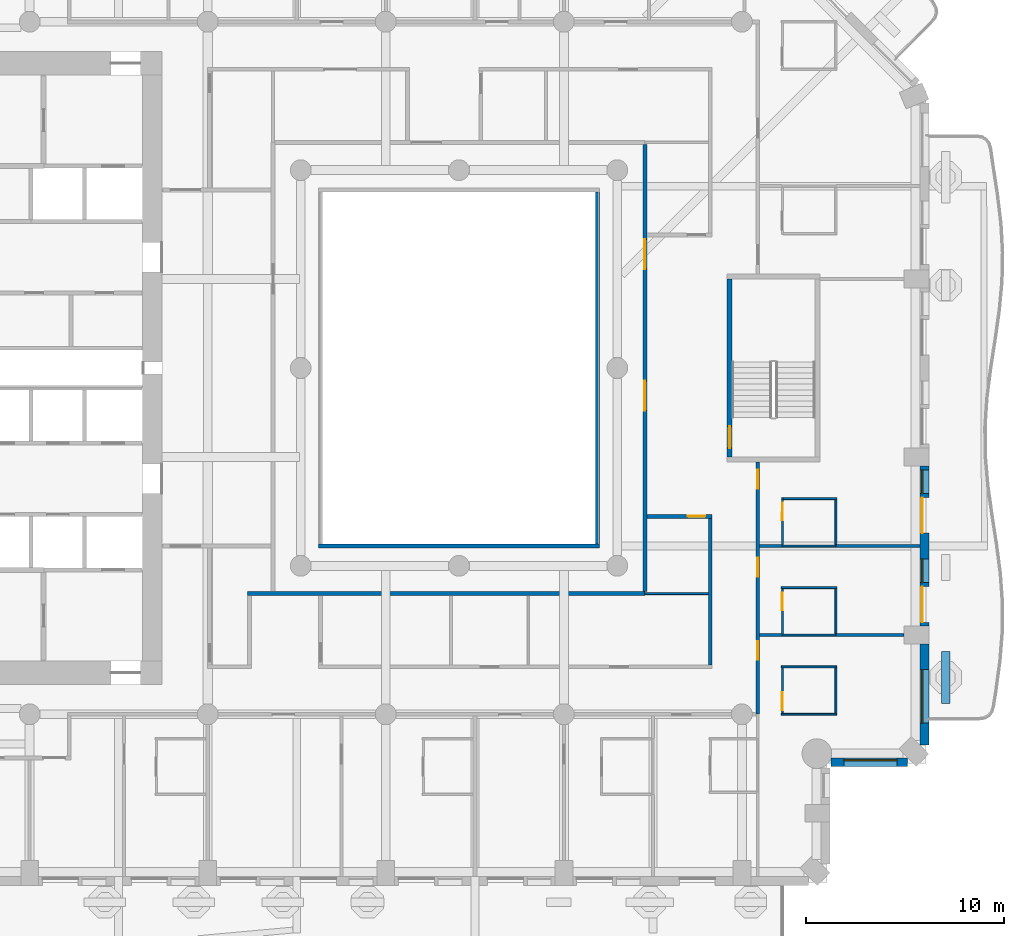
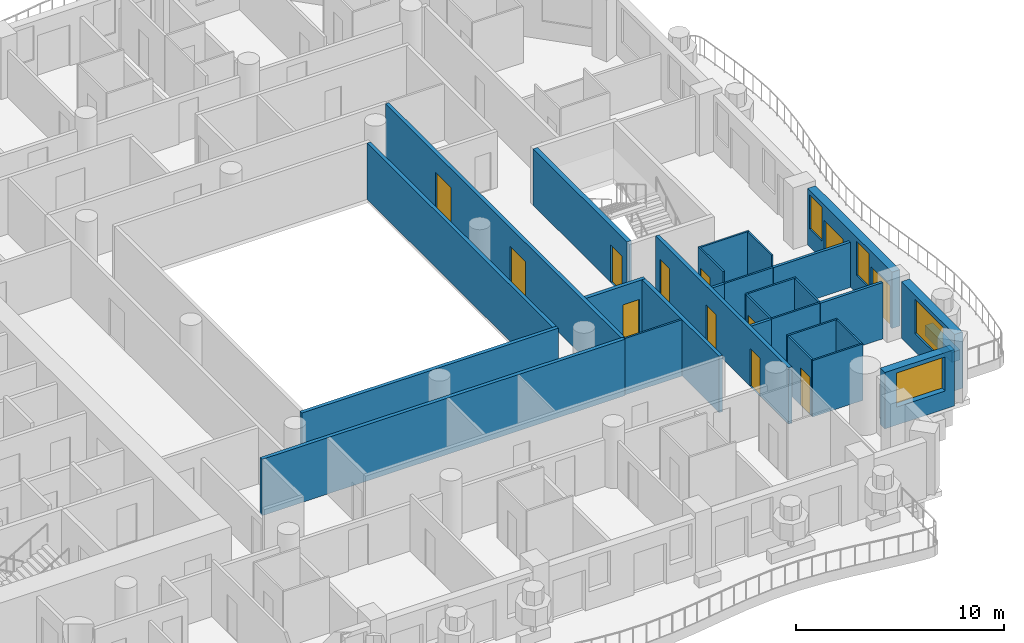
# One storey, part 6 of 20: 29 walls, 12 doors, 4 windows, 16 openings.
"""IFC4 building model written with IfcOpenShell, lengths in metres."""

from ifc_helpers import new_model, si_unit, direction, frame, frame_2d, origin, place, context, subcontext, project, spatial, rectangle, extrude, material, layer, layer_set, type_object, element, fill, save


model = new_model("IFC4")

# Units and contexts
model_context = context("Model", 3, precision=1e-05, world=origin(), true_north=direction((0.0, 1.0)))
body_context = subcontext(model_context, "Body", "Model", "MODEL_VIEW")
ifc_project = project(units=[si_unit("LENGTHUNIT", "METRE"), si_unit("AREAUNIT", "SQUARE_METRE"), si_unit("VOLUMEUNIT", "CUBIC_METRE"), si_unit("PLANEANGLEUNIT", "RADIAN"), si_unit("MASSUNIT", "GRAM", prefix="KILO")], contexts=[model_context])

# Site, building, storey
site_placement = place(None, origin())
site = spatial("IfcSite", under=ifc_project, at=site_placement, CompositionType="ELEMENT")
building_placement = place(site_placement, origin())
building = spatial("IfcBuilding", under=site, at=building_placement, Name="Cypress Arch Tower", CompositionType="ELEMENT")
storey_placement = place(building_placement, frame((0.0, 0.0, 134.699951171875)))
storey = spatial("IfcBuildingStorey", under=building, at=storey_placement, Name="L29", CompositionType="ELEMENT", Elevation=134.699951171875)

# Wall
ifc_material_1 = material(Name="Concrete C40/50, waterproofed", Category="concrete")
ifc_layer_1 = layer(ifc_material_1, 0.449951171875)
ifc_layer_set_1 = layer_set([ifc_layer_1], Name="Balcony planter wall PW450")
wall_type_1 = type_object("IfcWallType", Name="Balcony planter wall PW450", PredefinedType="SOLIDWALL", material=ifc_layer_set_1)
wall_1_placement = place(storey_placement, frame((25.60009765625, -16.949951171875, 0.0), z_axis=(0.0, 0.0, 1.0), x_axis=(0.0, 1.0, 0.0)))
element("IfcWall", 1, at=wall_1_placement, inside=storey, type_object=wall_type_1, Name="Balcony planter wall L29-A06.1", PredefinedType="SOLIDWALL", context=body_context, shape_type="SweptSolid", body=[
    extrude(rectangle(XDim=2.6142578125, YDim=0.449951171875, at=frame_2d((1.30712890625, 0.0))), origin(), (0.0, 0.0, 1.0), 0.60009765625),
])

# Wall, opening, window
ifc_material_2 = material(Name="Brick (red buff blend)", Category="masonry")
ifc_layer_2 = layer(ifc_material_2, 0.449951171875)
ifc_layer_set_2 = layer_set([ifc_layer_2], Name="Brick pier and spandrel wall BW450")
wall_type_2 = type_object("IfcWallType", Name="Brick pier and spandrel wall BW450", PredefinedType="SOLIDWALL", material=ifc_layer_set_2)
wall_2_placement = place(storey_placement, frame((19.806884765625, -19.925048828125, 0.0), z_axis=(0.0, 0.0, 1.0), x_axis=(1.0, 0.0, 0.0)))
wall_2 = element("IfcWall", 2, at=wall_2_placement, inside=storey, type_object=wall_type_2, Name="Brick wall L29 A05.0", PredefinedType="SOLIDWALL", context=body_context, shape_type="SweptSolid", body=[
    extrude(rectangle(XDim=3.856689453125, YDim=0.449951171875, at=frame_2d((1.92822265625, 0.0))), origin(), (0.0, 0.0, 1.0), 3.300048828125),
])
opening_1_placement = place(wall_2_placement, frame((0.64306640625, 0.0, 1.050048828125)))
opening_1 = element("IfcOpeningElement", 3, at=opening_1_placement, cuts=wall_2, Name="Opening W270H", PredefinedType="OPENING", context=body_context, shape_type="SweptSolid", body=[
    extrude(rectangle(XDim=2.699951171875, YDim=2.0, at=frame_2d((1.35009765625, 1.0))), frame((0.0, 0.23486328125, 0.0), z_axis=(0.0, -1.0, 0.0), x_axis=(1.0, 0.0, 0.0)), (0.0, 0.0, 1.0), 0.469970703125),
])
ifc_material_3 = material(Name="Anodised aluminium, bronze finish, clear low-emissivity double glazing", Category="aluminium")
window_type_1 = type_object("IfcWindowType", Name="Window Hotel 2700x2000", PartitioningType="SINGLE_PANEL", PredefinedType="WINDOW", material=ifc_material_3)
window_1_placement = place(opening_1_placement, origin())
window_1 = element("IfcWindow", 4, at=window_1_placement, inside=storey, type_object=window_type_1, Name="Window L29 A05.0.1", OverallHeight=2.0, OverallWidth=2.699951171875, PartitioningType="SINGLE_PANEL", PredefinedType="WINDOW", context=body_context, shape_type="SweptSolid", body=[
    extrude(rectangle(XDim=2.699951171875, YDim=2.0, at=frame_2d((1.35009765625, 1.0))), frame((0.0, 0.135009765625, 0.0), z_axis=(0.0, -1.0, 0.0), x_axis=(1.0, 0.0, 0.0)), (0.0, 0.0, 1.0), 0.06005859375),
])
fill(opening_1, window_1)

wall_3_placement = place(storey_placement, frame((24.52490234375, -19.063720703125, 0.0), z_axis=(0.0, 0.0, 1.0), x_axis=(0.0, 1.0, 0.0)))
wall_3 = element("IfcWall", 5, at=wall_3_placement, inside=storey, type_object=wall_type_2, Name="Brick wall L29 A06.0", PredefinedType="SOLIDWALL", context=body_context, shape_type="SweptSolid", body=[
    extrude(rectangle(XDim=5.11376953125, YDim=0.449951171875, at=frame_2d((2.556884765625, 0.0))), origin(), (0.0, 0.0, 1.0), 3.300048828125),
])
opening_2_placement = place(wall_3_placement, frame((1.113525390625, 0.0, 1.050048828125)))
opening_2 = element("IfcOpeningElement", 6, at=opening_2_placement, cuts=wall_3, Name="Opening W270HD", PredefinedType="OPENING", context=body_context, shape_type="SweptSolid", body=[
    extrude(rectangle(XDim=2.699951171875, YDim=2.0, at=frame_2d((1.35009765625, 1.0))), frame((0.0, 0.23486328125, 0.0), z_axis=(0.0, -1.0, 0.0), x_axis=(1.0, 0.0, 0.0)), (0.0, 0.0, 1.0), 0.469970703125),
])
ifc_material_4 = material(Name="Anodised aluminium, bronze finish, laminated low-emissivity double glazing, large-missile impact rated", Category="aluminium")
window_type_2 = type_object("IfcWindowType", Name="Window Hotel 2700x2000 debris-rated", PartitioningType="SINGLE_PANEL", PredefinedType="WINDOW", material=ifc_material_4)
window_2_placement = place(opening_2_placement, origin())
window_2 = element("IfcWindow", 7, at=window_2_placement, inside=storey, type_object=window_type_2, Name="Window L29 A06.0.1", OverallHeight=2.0, OverallWidth=2.699951171875, PartitioningType="SINGLE_PANEL", PredefinedType="WINDOW", context=body_context, shape_type="SweptSolid", body=[
    extrude(rectangle(XDim=2.699951171875, YDim=2.0, at=frame_2d((1.35009765625, 1.0))), frame((0.0, 0.135009765625, 0.0), z_axis=(0.0, -1.0, 0.0), x_axis=(1.0, 0.0, 0.0)), (0.0, 0.0, 1.0), 0.06005859375),
])
fill(opening_2, window_2)

# Wall, openings, doors, windows
wall_4_placement = place(storey_placement, frame((24.52490234375, -13.050048828125, 0.0), z_axis=(0.0, 0.0, 1.0), x_axis=(0.0, 1.0, 0.0)))
wall_4 = element("IfcWall", 8, at=wall_4_placement, inside=storey, type_object=wall_type_2, Name="Brick wall L29 A06.1", PredefinedType="SOLIDWALL", context=body_context, shape_type="SweptSolid", body=[
    extrude(rectangle(XDim=8.10009765625, YDim=0.449951171875, at=frame_2d((4.050048828125, 0.0))), origin(), (0.0, 0.0, 1.0), 3.300048828125),
])
opening_3_placement = place(wall_4_placement, frame((0.199951171875, 0.0, 0.0)))
opening_3 = element("IfcOpeningElement", 9, at=opening_3_placement, cuts=wall_4, Name="Opening D-L29-A06.1.1", PredefinedType="OPENING", context=body_context, shape_type="SweptSolid", body=[
    extrude(rectangle(XDim=1.800048828125, YDim=2.39990234375, at=frame_2d((0.89990234375, 1.199951171875))), frame((0.0, 0.23486328125, 0.0), z_axis=(0.0, -1.0, 0.0), x_axis=(1.0, 0.0, 0.0)), (0.0, 0.0, 1.0), 0.469970703125),
])
opening_4_placement = place(wall_4_placement, frame((2.199951171875, 0.0, 1.050048828125)))
opening_4 = element("IfcOpeningElement", 10, at=opening_4_placement, cuts=wall_4, Name="Opening W120HD", PredefinedType="OPENING", context=body_context, shape_type="SweptSolid", body=[
    extrude(rectangle(XDim=1.199951171875, YDim=2.0, at=frame_2d((0.60009765625, 1.0))), frame((0.0, 0.23486328125, 0.0), z_axis=(0.0, -1.0, 0.0), x_axis=(1.0, 0.0, 0.0)), (0.0, 0.0, 1.0), 0.469970703125),
])
opening_5_placement = place(wall_4_placement, frame((4.699951171875, 0.0, 0.0)))
opening_5 = element("IfcOpeningElement", 11, at=opening_5_placement, cuts=wall_4, Name="Opening D-L29-A06.1.2", PredefinedType="OPENING", context=body_context, shape_type="SweptSolid", body=[
    extrude(rectangle(XDim=1.800048828125, YDim=2.39990234375, at=frame_2d((0.89990234375, 1.199951171875))), frame((0.0, 0.23486328125, 0.0), z_axis=(0.0, -1.0, 0.0), x_axis=(1.0, 0.0, 0.0)), (0.0, 0.0, 1.0), 0.469970703125),
])
opening_6_placement = place(wall_4_placement, frame((6.699951171875, 0.0, 1.050048828125)))
opening_6 = element("IfcOpeningElement", 12, at=opening_6_placement, cuts=wall_4, Name="Opening W120HD", PredefinedType="OPENING", context=body_context, shape_type="SweptSolid", body=[
    extrude(rectangle(XDim=1.199951171875, YDim=2.0, at=frame_2d((0.60009765625, 1.0))), frame((0.0, 0.23486328125, 0.0), z_axis=(0.0, -1.0, 0.0), x_axis=(1.0, 0.0, 0.0)), (0.0, 0.0, 1.0), 0.469970703125),
])
ifc_material_5 = material(Name="Anodised aluminium, bronze finish, laminated low-emissivity double glazing, large-missile impact rated", Category="aluminium")
door_type_1 = type_object("IfcDoorType", Name="Balcony sliding door 1800x2400", OperationType="SLIDING_TO_LEFT", PredefinedType="DOOR", material=ifc_material_5)
door_1_placement = place(opening_3_placement, origin())
door_1 = element("IfcDoor", 13, at=door_1_placement, inside=storey, type_object=door_type_1, Name="Balcony door L29 A06.1.1", OperationType="SLIDING_TO_LEFT", OverallHeight=2.39990234375, OverallWidth=1.800048828125, PredefinedType="DOOR", context=body_context, shape_type="SweptSolid", body=[
    extrude(rectangle(XDim=1.800048828125, YDim=2.39990234375, at=frame_2d((0.89990234375, 1.199951171875))), frame((0.0, 0.1298828125, 0.0), z_axis=(0.0, -1.0, 0.0), x_axis=(1.0, 0.0, 0.0)), (0.0, 0.0, 1.0), 0.050048828125),
])
fill(opening_3, door_1)
door_2_placement = place(opening_5_placement, origin())
door_2 = element("IfcDoor", 14, at=door_2_placement, inside=storey, type_object=door_type_1, Name="Balcony door L29 A06.1.2", OperationType="SLIDING_TO_LEFT", OverallHeight=2.39990234375, OverallWidth=1.800048828125, PredefinedType="DOOR", context=body_context, shape_type="SweptSolid", body=[
    extrude(rectangle(XDim=1.800048828125, YDim=2.39990234375, at=frame_2d((0.89990234375, 1.199951171875))), frame((0.0, 0.1298828125, 0.0), z_axis=(0.0, -1.0, 0.0), x_axis=(1.0, 0.0, 0.0)), (0.0, 0.0, 1.0), 0.050048828125),
])
fill(opening_5, door_2)
ifc_material_6 = material(Name="Anodised aluminium, bronze finish, laminated low-emissivity double glazing, large-missile impact rated", Category="aluminium")
window_type_3 = type_object("IfcWindowType", Name="Window Hotel 1200x2000 debris-rated", PartitioningType="SINGLE_PANEL", PredefinedType="WINDOW", material=ifc_material_6)
window_3_placement = place(opening_4_placement, origin())
window_3 = element("IfcWindow", 15, at=window_3_placement, inside=storey, type_object=window_type_3, Name="Window L29 A06.1.1", OverallHeight=2.0, OverallWidth=1.199951171875, PartitioningType="SINGLE_PANEL", PredefinedType="WINDOW", context=body_context, shape_type="SweptSolid", body=[
    extrude(rectangle(XDim=1.199951171875, YDim=2.0, at=frame_2d((0.60009765625, 1.0))), frame((0.0, 0.135009765625, 0.0), z_axis=(0.0, -1.0, 0.0), x_axis=(1.0, 0.0, 0.0)), (0.0, 0.0, 1.0), 0.06005859375),
])
fill(opening_4, window_3)
window_4_placement = place(opening_6_placement, origin())
window_4 = element("IfcWindow", 16, at=window_4_placement, inside=storey, type_object=window_type_3, Name="Window L29 A06.1.2", OverallHeight=2.0, OverallWidth=1.199951171875, PartitioningType="SINGLE_PANEL", PredefinedType="WINDOW", context=body_context, shape_type="SweptSolid", body=[
    extrude(rectangle(XDim=1.199951171875, YDim=2.0, at=frame_2d((0.60009765625, 1.0))), frame((0.0, 0.135009765625, 0.0), z_axis=(0.0, -1.0, 0.0), x_axis=(1.0, 0.0, 0.0)), (0.0, 0.0, 1.0), 0.06005859375),
])
fill(opening_6, window_4)

# Walls
ifc_material_7 = material(Name="Concrete blockwork, plastered, rated", Category="masonry")
ifc_layer_3 = layer(ifc_material_7, 0.199951171875)
ifc_layer_set_3 = layer_set([ifc_layer_3], Name="Corridor wall FW200")
wall_type_3 = type_object("IfcWallType", Name="Corridor wall FW200", PredefinedType="PARTITIONING", material=ifc_layer_set_3)
wall_5_placement = place(storey_placement, frame((-9.699951171875, -11.39892578125, 0.0), z_axis=(0.0, 0.0, 1.0), x_axis=(1.0, 0.0, 0.0)))
element("IfcWall", 17, at=wall_5_placement, inside=storey, type_object=wall_type_3, Name="Corridor wall", PredefinedType="PARTITIONING", context=body_context, shape_type="SweptSolid", body=[
    extrude(rectangle(XDim=20.099853515625, YDim=0.199951171875, at=frame_2d((10.0498046875, 0.0))), origin(), (0.0, 0.0, 1.0), 3.300048828125),
])
wall_6_placement = place(storey_placement, frame((-6.10009765625, -9.0, 0.0), z_axis=(0.0, 0.0, 1.0), x_axis=(1.0, 0.0, 0.0)))
element("IfcWall", 18, at=wall_6_placement, inside=storey, type_object=wall_type_3, Name="Corridor wall", PredefinedType="PARTITIONING", context=body_context, shape_type="SweptSolid", body=[
    extrude(rectangle(XDim=14.2001953125, YDim=0.199951171875, at=frame_2d((7.10009765625, 0.0))), origin(), (0.0, 0.0, 1.0), 3.300048828125),
])
wall_7_placement = place(storey_placement, frame((8.0, -8.89990234375, 0.0), z_axis=(0.0, 0.0, 1.0), x_axis=(0.0, 1.0, 0.0)))
element("IfcWall", 19, at=wall_7_placement, inside=storey, type_object=wall_type_3, Name="Corridor wall", PredefinedType="PARTITIONING", context=body_context, shape_type="SweptSolid", body=[
    extrude(rectangle(XDim=17.7998046875, YDim=0.199951171875, at=frame_2d((8.89990234375, 0.0))), origin(), (0.0, 0.0, 1.0), 3.300048828125),
])

# Wall, openings, doors
wall_8_placement = place(storey_placement, frame((10.39990234375, -11.300048828125, 0.0), z_axis=(0.0, 0.0, 1.0), x_axis=(0.0, 1.0, 0.0)))
wall_8 = element("IfcWall", 20, at=wall_8_placement, inside=storey, type_object=wall_type_3, Name="Corridor wall", PredefinedType="PARTITIONING", context=body_context, shape_type="SweptSolid", body=[
    extrude(rectangle(XDim=22.60009765625, YDim=0.199951171875, at=frame_2d((11.300048828125, 0.0))), origin(), (0.0, 0.0, 1.0), 3.300048828125),
])
opening_7_placement = place(wall_8_placement, frame((16.300048828125, 0.0, 0.0)))
opening_7 = element("IfcOpeningElement", 21, at=opening_7_placement, cuts=wall_8, Name="Opening D04", PredefinedType="OPENING", context=body_context, shape_type="SweptSolid", body=[
    extrude(rectangle(XDim=1.5, YDim=2.199951171875, at=frame_2d((0.75, 1.10009765625))), frame((0.0, 0.10986328125, 0.0), z_axis=(0.0, -1.0, 0.0), x_axis=(1.0, 0.0, 0.0)), (0.0, 0.0, 1.0), 0.219970703125),
])
opening_8_placement = place(wall_8_placement, frame((9.14990234375, 0.0, 0.0)))
opening_8 = element("IfcOpeningElement", 22, at=opening_8_placement, cuts=wall_8, Name="Opening D04", PredefinedType="OPENING", context=body_context, shape_type="SweptSolid", body=[
    extrude(rectangle(XDim=1.5, YDim=2.199951171875, at=frame_2d((0.75, 1.10009765625))), frame((0.0, 0.10986328125, 0.0), z_axis=(0.0, -1.0, 0.0), x_axis=(1.0, 0.0, 0.0)), (0.0, 0.0, 1.0), 0.219970703125),
])
ifc_material_8 = material(Name="Timber double door", Category="wood")
door_type_2 = type_object("IfcDoorType", Name="Double door D04 1500x2200", OperationType="DOUBLE_DOOR_SINGLE_SWING", PredefinedType="DOOR", material=ifc_material_8)
door_3_placement = place(opening_7_placement, origin())
door_3 = element("IfcDoor", 23, at=door_3_placement, inside=storey, type_object=door_type_2, Name="Double door", OperationType="DOUBLE_DOOR_SINGLE_SWING", OverallHeight=2.199951171875, OverallWidth=1.5, PredefinedType="DOOR", context=body_context, shape_type="SweptSolid", body=[
    extrude(rectangle(XDim=1.5, YDim=2.199951171875, at=frame_2d((0.75, 1.10009765625))), frame((0.0, 0.02490234375, 0.0), z_axis=(0.0, -1.0, 0.0), x_axis=(1.0, 0.0, 0.0)), (0.0, 0.0, 1.0), 0.050048828125),
])
fill(opening_7, door_3)
door_4_placement = place(opening_8_placement, origin())
door_4 = element("IfcDoor", 24, at=door_4_placement, inside=storey, type_object=door_type_2, Name="Double door", OperationType="DOUBLE_DOOR_SINGLE_SWING", OverallHeight=2.199951171875, OverallWidth=1.5, PredefinedType="DOOR", context=body_context, shape_type="SweptSolid", body=[
    extrude(rectangle(XDim=1.5, YDim=2.199951171875, at=frame_2d((0.75, 1.10009765625))), frame((0.0, 0.02490234375, 0.0), z_axis=(0.0, -1.0, 0.0), x_axis=(1.0, 0.0, 0.0)), (0.0, 0.0, 1.0), 0.050048828125),
])
fill(opening_8, door_4)

# Wall, opening, door
wall_9_placement = place(storey_placement, frame((10.5, -7.5, 0.0), z_axis=(0.0, 0.0, 1.0), x_axis=(1.0, 0.0, 0.0)))
wall_9 = element("IfcWall", 25, at=wall_9_placement, inside=storey, type_object=wall_type_3, Name="Corridor wall", PredefinedType="PARTITIONING", context=body_context, shape_type="SweptSolid", body=[
    extrude(rectangle(XDim=3.300048828125, YDim=0.199951171875, at=frame_2d((1.64990234375, 0.0))), origin(), (0.0, 0.0, 1.0), 3.300048828125),
])
opening_9_placement = place(wall_9_placement, frame((2.050048828125, 0.0, 0.0)))
opening_9 = element("IfcOpeningElement", 26, at=opening_9_placement, cuts=wall_9, Name="Opening D05", PredefinedType="OPENING", context=body_context, shape_type="SweptSolid", body=[
    extrude(rectangle(XDim=0.89990234375, YDim=2.199951171875, at=frame_2d((0.449951171875, 1.10009765625))), frame((0.0, 0.10986328125, 0.0), z_axis=(0.0, -1.0, 0.0), x_axis=(1.0, 0.0, 0.0)), (0.0, 0.0, 1.0), 0.219970703125),
])
ifc_material_9 = material(Name="Timber flush door", Category="wood")
door_type_3 = type_object("IfcDoorType", Name="Service door D05 900x2200", OperationType="SINGLE_SWING_LEFT", PredefinedType="DOOR", material=ifc_material_9)
door_5_placement = place(opening_9_placement, origin())
door_5 = element("IfcDoor", 27, at=door_5_placement, inside=storey, type_object=door_type_3, Name="Service door", OperationType="SINGLE_SWING_LEFT", OverallHeight=2.199951171875, OverallWidth=0.89990234375, PredefinedType="DOOR", context=body_context, shape_type="SweptSolid", body=[
    extrude(rectangle(XDim=0.89990234375, YDim=2.199951171875, at=frame_2d((0.449951171875, 1.10009765625))), frame((0.0, 0.02490234375, 0.0), z_axis=(0.0, -1.0, 0.0), x_axis=(1.0, 0.0, 0.0)), (0.0, 0.0, 1.0), 0.050048828125),
])
fill(opening_9, door_5)

# Wall
wall_10_placement = place(storey_placement, frame((13.699951171875, -15.0, 0.0), z_axis=(0.0, 0.0, 1.0), x_axis=(0.0, 1.0, 0.0)))
element("IfcWall", 28, at=wall_10_placement, inside=storey, type_object=wall_type_3, Name="Corridor wall", PredefinedType="PARTITIONING", context=body_context, shape_type="SweptSolid", body=[
    extrude(rectangle(XDim=7.39990234375, YDim=0.199951171875, at=frame_2d((3.699951171875, 0.0))), origin(), (0.0, 0.0, 1.0), 3.300048828125),
])

# Wall, openings, doors
wall_11_placement = place(storey_placement, frame((16.10009765625, -17.5, 0.0), z_axis=(0.0, 0.0, 1.0), x_axis=(0.0, 1.0, 0.0)))
wall_11 = element("IfcWall", 29, at=wall_11_placement, inside=storey, type_object=wall_type_3, Name="Corridor wall", PredefinedType="PARTITIONING", context=body_context, shape_type="SweptSolid", body=[
    extrude(rectangle(XDim=12.75, YDim=0.199951171875, at=frame_2d((6.375, 0.0))), origin(), (0.0, 0.0, 1.0), 3.300048828125),
])
opening_10_placement = place(wall_11_placement, frame((2.75, 0.0, 0.0)))
opening_10 = element("IfcOpeningElement", 30, at=opening_10_placement, cuts=wall_11, Name="Opening D02", PredefinedType="OPENING", context=body_context, shape_type="SweptSolid", body=[
    extrude(rectangle(XDim=0.949951171875, YDim=2.199951171875, at=frame_2d((0.47509765625, 1.10009765625))), frame((0.0, 0.10986328125, 0.0), z_axis=(0.0, -1.0, 0.0), x_axis=(1.0, 0.0, 0.0)), (0.0, 0.0, 1.0), 0.219970703125),
])
opening_11_placement = place(wall_11_placement, frame((6.949951171875, 0.0, 0.0)))
opening_11 = element("IfcOpeningElement", 31, at=opening_11_placement, cuts=wall_11, Name="Opening D02", PredefinedType="OPENING", context=body_context, shape_type="SweptSolid", body=[
    extrude(rectangle(XDim=0.949951171875, YDim=2.199951171875, at=frame_2d((0.47509765625, 1.10009765625))), frame((0.0, 0.10986328125, 0.0), z_axis=(0.0, -1.0, 0.0), x_axis=(1.0, 0.0, 0.0)), (0.0, 0.0, 1.0), 0.219970703125),
])
opening_12_placement = place(wall_11_placement, frame((11.39990234375, 0.0, 0.0)))
opening_12 = element("IfcOpeningElement", 32, at=opening_12_placement, cuts=wall_11, Name="Opening D02", PredefinedType="OPENING", context=body_context, shape_type="SweptSolid", body=[
    extrude(rectangle(XDim=0.949951171875, YDim=2.199951171875, at=frame_2d((0.47509765625, 1.10009765625))), frame((0.0, 0.10986328125, 0.0), z_axis=(0.0, -1.0, 0.0), x_axis=(1.0, 0.0, 0.0)), (0.0, 0.0, 1.0), 0.219970703125),
])
ifc_material_10 = material(Name="Timber flush door, fire resisting", Category="wood")
door_type_4 = type_object("IfcDoorType", Name="Room door D02 950x2200", OperationType="SINGLE_SWING_LEFT", PredefinedType="DOOR", material=ifc_material_10)
door_6_placement = place(opening_10_placement, origin())
door_6 = element("IfcDoor", 33, at=door_6_placement, inside=storey, type_object=door_type_4, Name="Room door", OperationType="SINGLE_SWING_LEFT", OverallHeight=2.199951171875, OverallWidth=0.949951171875, PredefinedType="DOOR", context=body_context, shape_type="SweptSolid", body=[
    extrude(rectangle(XDim=0.949951171875, YDim=2.199951171875, at=frame_2d((0.47509765625, 1.10009765625))), frame((0.0, 0.02490234375, 0.0), z_axis=(0.0, -1.0, 0.0), x_axis=(1.0, 0.0, 0.0)), (0.0, 0.0, 1.0), 0.050048828125),
])
fill(opening_10, door_6)
door_7_placement = place(opening_11_placement, origin())
door_7 = element("IfcDoor", 34, at=door_7_placement, inside=storey, type_object=door_type_4, Name="Room door", OperationType="SINGLE_SWING_LEFT", OverallHeight=2.199951171875, OverallWidth=0.949951171875, PredefinedType="DOOR", context=body_context, shape_type="SweptSolid", body=[
    extrude(rectangle(XDim=0.949951171875, YDim=2.199951171875, at=frame_2d((0.47509765625, 1.10009765625))), frame((0.0, 0.02490234375, 0.0), z_axis=(0.0, -1.0, 0.0), x_axis=(1.0, 0.0, 0.0)), (0.0, 0.0, 1.0), 0.050048828125),
])
fill(opening_11, door_7)
door_8_placement = place(opening_12_placement, origin())
door_8 = element("IfcDoor", 35, at=door_8_placement, inside=storey, type_object=door_type_4, Name="Room door", OperationType="SINGLE_SWING_LEFT", OverallHeight=2.199951171875, OverallWidth=0.949951171875, PredefinedType="DOOR", context=body_context, shape_type="SweptSolid", body=[
    extrude(rectangle(XDim=0.949951171875, YDim=2.199951171875, at=frame_2d((0.47509765625, 1.10009765625))), frame((0.0, 0.02490234375, 0.0), z_axis=(0.0, -1.0, 0.0), x_axis=(1.0, 0.0, 0.0)), (0.0, 0.0, 1.0), 0.050048828125),
])
fill(opening_12, door_8)

# Walls
ifc_material_11 = material(Name="Blockwork, plastered both sides", Category="masonry")
ifc_layer_4 = layer(ifc_material_11, 0.14990234375)
ifc_layer_set_4 = layer_set([ifc_layer_4], Name="Partition PW150")
wall_type_4 = type_object("IfcWallType", Name="Partition PW150", PredefinedType="PARTITIONING", material=ifc_layer_set_4)
wall_12_placement = place(storey_placement, frame((16.199951171875, -13.5, 0.0), z_axis=(0.0, 0.0, 1.0), x_axis=(1.0, 0.0, 0.0)))
element("IfcWall", 36, at=wall_12_placement, inside=storey, type_object=wall_type_4, Name="Partition", PredefinedType="PARTITIONING", context=body_context, shape_type="SweptSolid", body=[
    extrude(rectangle(XDim=1.130126953125, YDim=0.14990234375, at=frame_2d((0.56494140625, 0.0))), origin(), (0.0, 0.0, 1.0), 3.300048828125),
])
wall_13_placement = place(storey_placement, frame((16.199951171875, -9.0, 0.0), z_axis=(0.0, 0.0, 1.0), x_axis=(1.0, 0.0, 0.0)))
element("IfcWall", 37, at=wall_13_placement, inside=storey, type_object=wall_type_4, Name="Partition", PredefinedType="PARTITIONING", context=body_context, shape_type="SweptSolid", body=[
    extrude(rectangle(XDim=1.130126953125, YDim=0.14990234375, at=frame_2d((0.56494140625, 0.0))), origin(), (0.0, 0.0, 1.0), 2.650146484375),
])
wall_14_placement = place(storey_placement, frame((20.030029296875, -13.5, 0.0), z_axis=(0.0, 0.0, 1.0), x_axis=(1.0, 0.0, 0.0)))
element("IfcWall", 38, at=wall_14_placement, inside=storey, type_object=wall_type_4, Name="Partition", PredefinedType="PARTITIONING", context=body_context, shape_type="SweptSolid", body=[
    extrude(rectangle(XDim=3.469970703125, YDim=0.14990234375, at=frame_2d((1.73486328125, 0.0))), origin(), (0.0, 0.0, 1.0), 3.300048828125),
])
wall_15_placement = place(storey_placement, frame((20.030029296875, -9.0, 0.0), z_axis=(0.0, 0.0, 1.0), x_axis=(1.0, 0.0, 0.0)))
element("IfcWall", 39, at=wall_15_placement, inside=storey, type_object=wall_type_4, Name="Partition", PredefinedType="PARTITIONING", context=body_context, shape_type="SweptSolid", body=[
    extrude(rectangle(XDim=4.27001953125, YDim=0.14990234375, at=frame_2d((2.135009765625, 0.0))), origin(), (0.0, 0.0, 1.0), 2.650146484375),
])

# Wall, opening, door
ifc_material_12 = material(Name="Concrete C50/60", Category="concrete")
ifc_layer_5 = layer(ifc_material_12, 0.25)
ifc_layer_set_5 = layer_set([ifc_layer_5], Name="Stair enclosure wall SW250")
wall_type_5 = type_object("IfcWallType", Name="Stair enclosure wall SW250", PredefinedType="SHEAR", material=ifc_layer_set_5)
wall_16_placement = place(storey_placement, frame((14.675048828125, -4.5, 0.0), z_axis=(0.0, 0.0, 1.0), x_axis=(0.0, 1.0, 0.0)))
wall_16 = element("IfcWall", 40, at=wall_16_placement, inside=storey, type_object=wall_type_5, Name="Stair enclosure wall", PredefinedType="SHEAR", context=body_context, shape_type="SweptSolid", body=[
    extrude(rectangle(XDim=9.0, YDim=0.25, at=frame_2d((4.5, 0.0))), origin(), (0.0, 0.0, 1.0), 3.300048828125),
])
opening_13_placement = place(wall_16_placement, frame((0.449951171875, 0.0, 0.0)))
opening_13 = element("IfcOpeningElement", 41, at=opening_13_placement, cuts=wall_16, Name="Opening D06", PredefinedType="OPENING", context=body_context, shape_type="SweptSolid", body=[
    extrude(rectangle(XDim=1.10009765625, YDim=2.199951171875, at=frame_2d((0.550048828125, 1.10009765625))), frame((0.0, 0.135009765625, 0.0), z_axis=(0.0, -1.0, 0.0), x_axis=(1.0, 0.0, 0.0)), (0.0, 0.0, 1.0), 0.27001953125),
])
ifc_material_13 = material(Name="Steel door, fire resisting, panic bar", Category="steel")
door_type_5 = type_object("IfcDoorType", Name="Stair door D06 1100x2200", OperationType="SINGLE_SWING_LEFT", PredefinedType="DOOR", material=ifc_material_13)
door_9_placement = place(opening_13_placement, origin())
door_9 = element("IfcDoor", 42, at=door_9_placement, inside=storey, type_object=door_type_5, Name="Stair door", OperationType="SINGLE_SWING_RIGHT", OverallHeight=2.199951171875, OverallWidth=1.10009765625, PredefinedType="DOOR", context=body_context, shape_type="SweptSolid", body=[
    extrude(rectangle(XDim=1.10009765625, YDim=2.199951171875, at=frame_2d((0.550048828125, 1.10009765625))), frame((0.0, 0.02490234375, 0.0), z_axis=(0.0, -1.0, 0.0), x_axis=(1.0, 0.0, 0.0)), (0.0, 0.0, 1.0), 0.050048828125),
])
fill(opening_13, door_9)

# Walls
ifc_material_14 = material(Name="Moisture resistant board on steel studs, tiled", Category="steel")
ifc_layer_6 = layer(ifc_material_14, 0.10009765625)
ifc_layer_set_6 = layer_set([ifc_layer_6], Name="Wet wall PW100")
wall_type_6 = type_object("IfcWallType", Name="Wet wall PW100", PredefinedType="PARTITIONING", material=ifc_layer_set_6)
wall_17_placement = place(storey_placement, frame((10.39990234375, -11.39990234375, 0.0), z_axis=(0.0, 0.0, 1.0), x_axis=(1.0, 0.0, 0.0)))
element("IfcWall", 43, at=wall_17_placement, inside=storey, type_object=wall_type_6, Name="Wet wall", PredefinedType="PARTITIONING", context=body_context, shape_type="SweptSolid", body=[
    extrude(rectangle(XDim=3.2001953125, YDim=0.10009765625, at=frame_2d((1.60009765625, 0.0))), origin(), (0.0, 0.0, 1.0), 3.300048828125),
])
wall_18_placement = place(storey_placement, frame((17.330078125, -13.5, 0.0), z_axis=(0.0, 0.0, 1.0), x_axis=(1.0, 0.0, 0.0)))
element("IfcWall", 44, at=wall_18_placement, inside=storey, type_object=wall_type_6, Name="Wet wall", PredefinedType="PARTITIONING", context=body_context, shape_type="SweptSolid", body=[
    extrude(rectangle(XDim=2.699951171875, YDim=0.10009765625, at=frame_2d((1.35009765625, 0.0))), origin(), (0.0, 0.0, 1.0), 3.300048828125),
])
wall_19_placement = place(storey_placement, frame((17.330078125, -9.0, 0.0), z_axis=(0.0, 0.0, 1.0), x_axis=(1.0, 0.0, 0.0)))
element("IfcWall", 45, at=wall_19_placement, inside=storey, type_object=wall_type_6, Name="Wet wall", PredefinedType="PARTITIONING", context=body_context, shape_type="SweptSolid", body=[
    extrude(rectangle(XDim=2.699951171875, YDim=0.10009765625, at=frame_2d((1.35009765625, 0.0))), origin(), (0.0, 0.0, 1.0), 2.650146484375),
])

# Wall, opening, door
wall_20_placement = place(storey_placement, frame((17.35009765625, -17.449951171875, 0.0), z_axis=(0.0, 0.0, 1.0), x_axis=(0.0, 1.0, 0.0)))
wall_20 = element("IfcWall", 46, at=wall_20_placement, inside=storey, type_object=wall_type_6, Name="Wet wall", PredefinedType="PARTITIONING", context=body_context, shape_type="SweptSolid", body=[
    extrude(rectangle(XDim=2.300048828125, YDim=0.10009765625, at=frame_2d((1.14990234375, 0.0))), origin(), (0.0, 0.0, 1.0), 3.300048828125),
])
opening_14_placement = place(wall_20_placement, frame((0.14990234375, 0.0, 0.0)))
opening_14 = element("IfcOpeningElement", 47, at=opening_14_placement, cuts=wall_20, Name="Opening D03", PredefinedType="OPENING", context=body_context, shape_type="SweptSolid", body=[
    extrude(rectangle(XDim=0.89990234375, YDim=2.199951171875, at=frame_2d((0.449951171875, 1.10009765625))), frame((0.0, 0.06005859375, 0.0), z_axis=(0.0, -1.0, 0.0), x_axis=(1.0, 0.0, 0.0)), (0.0, 0.0, 1.0), 0.1201171875),
])
ifc_material_15 = material(Name="Timber flush door, moisture resistant", Category="wood")
door_type_6 = type_object("IfcDoorType", Name="Bathroom door D03 900x2200", OperationType="SINGLE_SWING_LEFT", PredefinedType="DOOR", material=ifc_material_15)
door_10_placement = place(opening_14_placement, origin())
door_10 = element("IfcDoor", 48, at=door_10_placement, inside=storey, type_object=door_type_6, Name="Bathroom door", OperationType="SINGLE_SWING_RIGHT", OverallHeight=2.199951171875, OverallWidth=0.89990234375, PredefinedType="DOOR", context=body_context, shape_type="SweptSolid", body=[
    extrude(rectangle(XDim=0.89990234375, YDim=2.199951171875, at=frame_2d((0.449951171875, 1.10009765625))), frame((0.0, 0.02490234375, 0.0), z_axis=(0.0, -1.0, 0.0), x_axis=(1.0, 0.0, 0.0)), (0.0, 0.0, 1.0), 0.050048828125),
])
fill(opening_14, door_10)

# Walls
for number, where, z_axis, x_axis, name in (
    (49, (17.300048828125, -17.5, 0.0), (0.0, 0.0, 1.0), (1.0, 0.0, 0.0), "Wet wall"),
    (50, (17.300048828125, -15.10009765625, 0.0), (0.0, 0.0, 1.0), (1.0, 0.0, 0.0), "Wet wall"),
):
    element("IfcWall", number, at=place(storey_placement, frame(where, z_axis=z_axis, x_axis=x_axis)), inside=storey, type_object=wall_type_6, Name=name, PredefinedType="PARTITIONING", context=body_context, shape_type="SweptSolid", body=[
        extrude(rectangle(XDim=2.800048828125, YDim=0.10009765625, at=frame_2d((1.39990234375, 0.0))), origin(), (0.0, 0.0, 1.0), 3.300048828125),
    ])

# Wall, opening, door
wall_21_placement = place(storey_placement, frame((17.35009765625, -13.449951171875, 0.0), z_axis=(0.0, 0.0, 1.0), x_axis=(0.0, 1.0, 0.0)))
wall_21 = element("IfcWall", 51, at=wall_21_placement, inside=storey, type_object=wall_type_6, Name="Wet wall", PredefinedType="PARTITIONING", context=body_context, shape_type="SweptSolid", body=[
    extrude(rectangle(XDim=2.2958984375, YDim=0.10009765625, at=frame_2d((1.14794921875, 0.0))), origin(), (0.0, 0.0, 1.0), 3.300048828125),
])
opening_15_placement = place(wall_21_placement, frame((1.199951171875, 0.0, 0.0)))
opening_15 = element("IfcOpeningElement", 52, at=opening_15_placement, cuts=wall_21, Name="Opening D03", PredefinedType="OPENING", context=body_context, shape_type="SweptSolid", body=[
    extrude(rectangle(XDim=0.89990234375, YDim=2.199951171875, at=frame_2d((0.449951171875, 1.10009765625))), frame((0.0, 0.06005859375, 0.0), z_axis=(0.0, -1.0, 0.0), x_axis=(1.0, 0.0, 0.0)), (0.0, 0.0, 1.0), 0.1201171875),
])
door_11_placement = place(opening_15_placement, origin())
door_11 = element("IfcDoor", 53, at=door_11_placement, inside=storey, type_object=door_type_6, Name="Bathroom door", OperationType="SINGLE_SWING_LEFT", OverallHeight=2.199951171875, OverallWidth=0.89990234375, PredefinedType="DOOR", context=body_context, shape_type="SweptSolid", body=[
    extrude(rectangle(XDim=0.89990234375, YDim=2.199951171875, at=frame_2d((0.449951171875, 1.10009765625))), frame((0.0, 0.02490234375, 0.0), z_axis=(0.0, -1.0, 0.0), x_axis=(1.0, 0.0, 0.0)), (0.0, 0.0, 1.0), 0.050048828125),
])
fill(opening_15, door_11)

# Wall
wall_22_placement = place(storey_placement, frame((17.300048828125, -11.10400390625, 0.0), z_axis=(0.0, 0.0, 1.0), x_axis=(1.0, 0.0, 0.0)))
element("IfcWall", 54, at=wall_22_placement, inside=storey, type_object=wall_type_6, Name="Wet wall", PredefinedType="PARTITIONING", context=body_context, shape_type="SweptSolid", body=[
    extrude(rectangle(XDim=2.800048828125, YDim=0.10009765625, at=frame_2d((1.39990234375, 0.0))), origin(), (0.0, 0.0, 1.0), 3.300048828125),
])

# Wall, opening, door
wall_23_placement = place(storey_placement, frame((17.35009765625, -8.949951171875, 0.0), z_axis=(0.0, 0.0, 1.0), x_axis=(0.000407580973, 0.999999916939, 0.0)))
wall_23 = element("IfcWall", 55, at=wall_23_placement, inside=storey, type_object=wall_type_6, Name="Wet wall", PredefinedType="PARTITIONING", context=body_context, shape_type="SweptSolid", body=[
    extrude(rectangle(XDim=2.39599609375, YDim=0.10009765625, at=frame_2d((1.197998046875, 0.0))), origin(), (0.0, 0.0, 1.0), 3.300048828125),
])
opening_16_placement = place(wall_23_placement, frame((1.25, 0.0, 0.0)))
opening_16 = element("IfcOpeningElement", 56, at=opening_16_placement, cuts=wall_23, Name="Opening D03", PredefinedType="OPENING", context=body_context, shape_type="SweptSolid", body=[
    extrude(rectangle(XDim=0.89990234375, YDim=2.199951171875, at=frame_2d((0.449951171875, 1.10009765625))), frame((0.0, 0.06005859375, 0.0), z_axis=(0.0, -1.0, 0.0), x_axis=(1.0, 0.0, 0.0)), (0.0, 0.0, 1.0), 0.1201171875),
])
door_12_placement = place(opening_16_placement, origin())
door_12 = element("IfcDoor", 57, at=door_12_placement, inside=storey, type_object=door_type_6, Name="Bathroom door", OperationType="SINGLE_SWING_LEFT", OverallHeight=2.199951171875, OverallWidth=0.89990234375, PredefinedType="DOOR", context=body_context, shape_type="SweptSolid", body=[
    extrude(rectangle(XDim=0.89990234375, YDim=2.199951171875, at=frame_2d((0.449951171875, 1.10009765625))), frame((0.0, 0.02490234375, 0.0), z_axis=(0.0, -1.0, 0.0), x_axis=(1.0, 0.0, 0.0)), (0.0, 0.0, 1.0), 0.050048828125),
])
fill(opening_16, door_12)

# Walls
wall_24_placement = place(storey_placement, frame((17.40087890625, -6.60400390625, 0.0), z_axis=(0.0, 0.0, 1.0), x_axis=(0.9999999346, -0.000361663629, 0.0)))
element("IfcWall", 58, at=wall_24_placement, inside=storey, type_object=wall_type_6, Name="Wet wall", PredefinedType="PARTITIONING", context=body_context, shape_type="SweptSolid", body=[
    extrude(rectangle(XDim=2.7001953125, YDim=0.10009765625, at=frame_2d((1.35009765625, 0.0))), origin(), (0.0, 0.0, 1.0), 3.300048828125),
])
wall_25_placement = place(storey_placement, frame((20.050048828125, -17.449951171875, 0.0), z_axis=(0.0, 0.0, 1.0), x_axis=(0.0, 1.0, 0.0)))
element("IfcWall", 59, at=wall_25_placement, inside=storey, type_object=wall_type_6, Name="Wet wall", PredefinedType="PARTITIONING", context=body_context, shape_type="SweptSolid", body=[
    extrude(rectangle(XDim=2.300048828125, YDim=0.10009765625, at=frame_2d((1.14990234375, 0.0))), origin(), (0.0, 0.0, 1.0), 3.300048828125),
])
wall_26_placement = place(storey_placement, frame((20.050048828125, -13.425048828125, 0.0), z_axis=(0.0, 0.0, 1.0), x_axis=(0.0, 1.0, 0.0)))
element("IfcWall", 60, at=wall_26_placement, inside=storey, type_object=wall_type_6, Name="Wet wall", PredefinedType="PARTITIONING", context=body_context, shape_type="SweptSolid", body=[
    extrude(rectangle(XDim=2.27099609375, YDim=0.10009765625, at=frame_2d((1.135498046875, 0.0))), origin(), (0.0, 0.0, 1.0), 3.300048828125),
])
wall_27_placement = place(storey_placement, frame((20.050048828125, -8.925048828125, 0.0), z_axis=(0.0, 0.0, 1.0), x_axis=(0.000430200003, 0.999999907464, 0.0)))
element("IfcWall", 61, at=wall_27_placement, inside=storey, type_object=wall_type_6, Name="Wet wall", PredefinedType="PARTITIONING", context=body_context, shape_type="SweptSolid", body=[
    extrude(rectangle(XDim=2.27001953125, YDim=0.10009765625, at=frame_2d((1.135009765625, 0.0))), origin(), (0.0, 0.0, 1.0), 3.300048828125),
])

save(model, "model.ifc")
